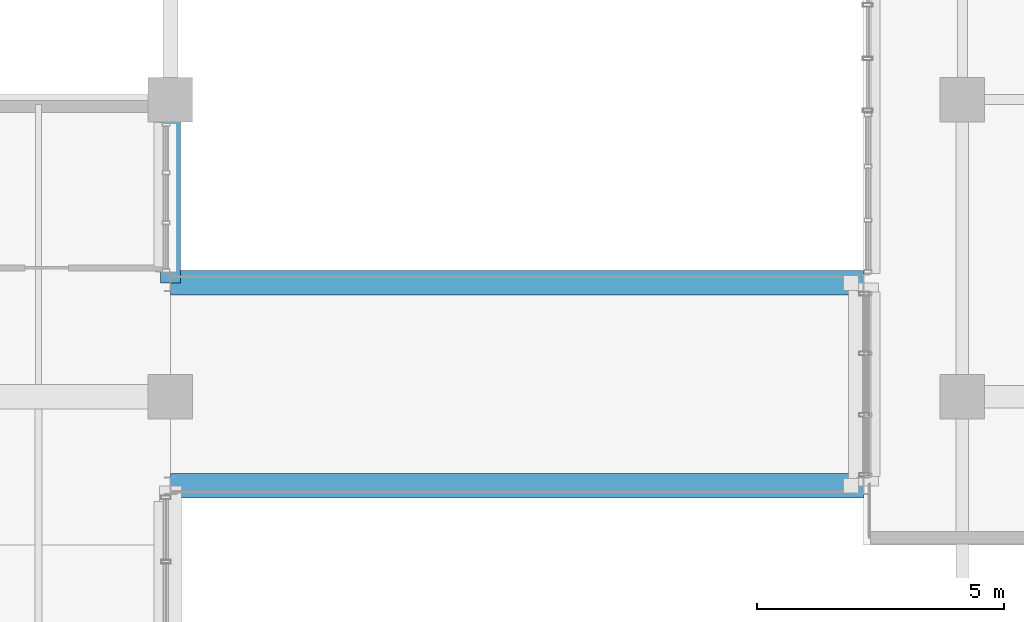
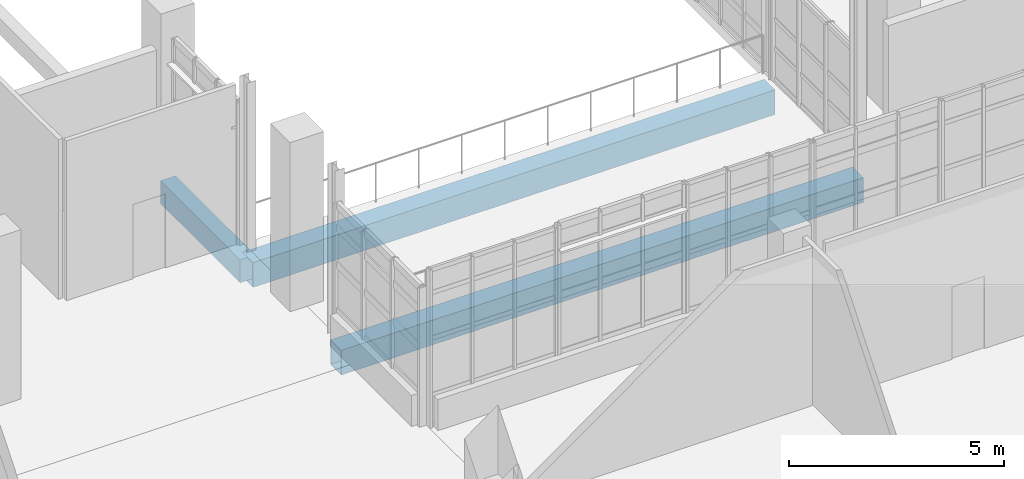
# One storey, part 32 of 127: 3 beams.
"""IFC4 building model written with IfcOpenShell, lengths in metres."""

from ifc_helpers import new_model, si_unit, derived_unit, direction, frame, origin, origin_2d, place, context, subcontext, project, spatial, rectangle, hollow_rectangle, extrude, material, material_profile, profile_set, type_object, element, save


model = new_model("IFC4")

# Units and contexts
model_context = context("Model", 3, precision=1e-05, world=origin(), true_north=direction((0.0, 1.0)))
body_context = subcontext(model_context, "Body", "Model", "MODEL_VIEW")
ifc_project = project(units=[si_unit("LENGTHUNIT", "METRE"), si_unit("AREAUNIT", "SQUARE_METRE"), si_unit("VOLUMEUNIT", "CUBIC_METRE"), si_unit("PLANEANGLEUNIT", "RADIAN"), si_unit("MASSUNIT", "GRAM", prefix="KILO"), derived_unit("THERMALTRANSMITTANCEUNIT", [(si_unit("POWERUNIT", "WATT"), 1), (si_unit("LENGTHUNIT", "METRE"), -2), (si_unit("THERMODYNAMICTEMPERATUREUNIT", "KELVIN"), -1)])], contexts=[model_context])

# Site, building, storey
site_placement = place(None, origin())
site = spatial("IfcSite", under=ifc_project, at=site_placement, CompositionType="ELEMENT")
building_placement = place(site_placement, origin())
building = spatial("IfcBuilding", under=site, at=building_placement, Name="Nallur Shell Playhouse", CompositionType="ELEMENT")
storey_placement = place(building_placement, frame((0.0, 0.0, 5.39990234375)))
storey = spatial("IfcBuildingStorey", under=building, at=storey_placement, Name="L02", CompositionType="ELEMENT", Elevation=5.39990234375)

# Beams
ifc_material_1 = material(Name="Steel E350", Category="steel")
ifc_material_profile_1 = material_profile(ifc_material_1, hollow_rectangle(XDim=0.5, YDim=0.699951171875, WallThickness=0.02197265625, at=origin_2d()), Name="BOX 500x700x22")
ifc_profile_set_1 = profile_set([ifc_material_profile_1], Name="Steel E350")
beam_type_1 = type_object("IfcBeamType", Name="BM-BRIDGE-BOX", PredefinedType="BEAM", material=ifc_profile_set_1)
for number, where, z_axis, x_axis, name in (
    (1, (40.0, 48.199951171875, -0.6298828125), (1.0, 0.0, 0.0), (0.0, 1.0, 0.0), "Courtyard bridge box girder 01"),
    (2, (40.0, 52.300048828125, -0.6298828125), (1.0, 0.0, 0.0), (0.0, 1.0, 0.0), "Courtyard bridge box girder 02"),
):
    element("IfcBeam", number, at=place(storey_placement, frame(where, z_axis=z_axis, x_axis=x_axis)), inside=storey, type_object=beam_type_1, Name=name, PredefinedType="BEAM", context=body_context, shape_type="SweptSolid", body=[
        extrude(hollow_rectangle(XDim=0.5, YDim=0.699951171875, WallThickness=0.02197265625, at=origin_2d()), origin(), (0.0, 0.0, 1.0), 14.0),
    ])
ifc_material_2 = material(Name="Concrete M35", Category="concrete")
ifc_material_profile_2 = material_profile(ifc_material_2, rectangle(XDim=0.39990234375, YDim=0.64990234375, at=origin_2d()), Name="RC 400x650")
ifc_profile_set_2 = profile_set([ifc_material_profile_2], Name="Concrete M35")
beam_type_2 = type_object("IfcBeamType", Name="BM-RC-400x650", PredefinedType="BEAM", material=ifc_profile_set_2)
beam_placement = place(storey_placement, frame((40.0, 52.300048828125, -0.60498046875), z_axis=(0.0, 1.0, 0.0), x_axis=(-1.0, 0.0, 0.0)))
element("IfcBeam", 3, at=beam_placement, inside=storey, type_object=beam_type_2, Name="L02 girder Y-5-415", PredefinedType="BEAM", context=body_context, shape_type="SweptSolid", body=[
    extrude(rectangle(XDim=0.39990234375, YDim=0.64990234375, at=origin_2d()), origin(), (0.0, 0.0, 1.0), 3.699951171875),
])

save(model, "model.ifc")
